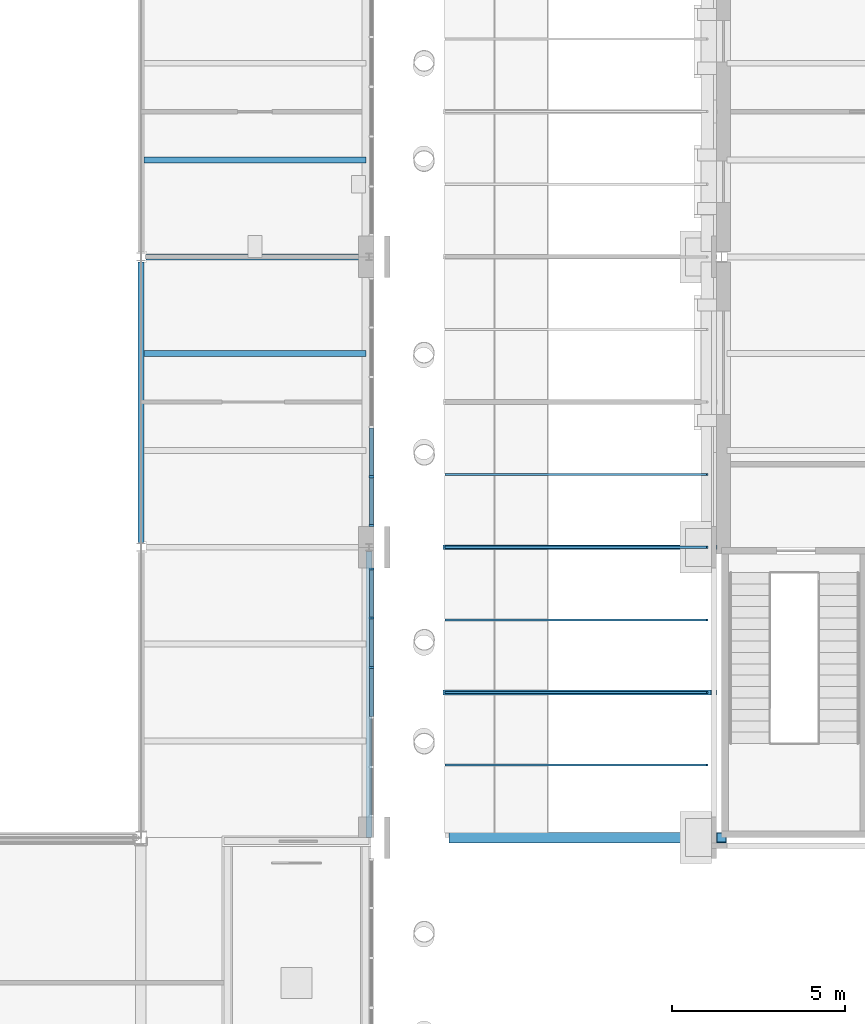
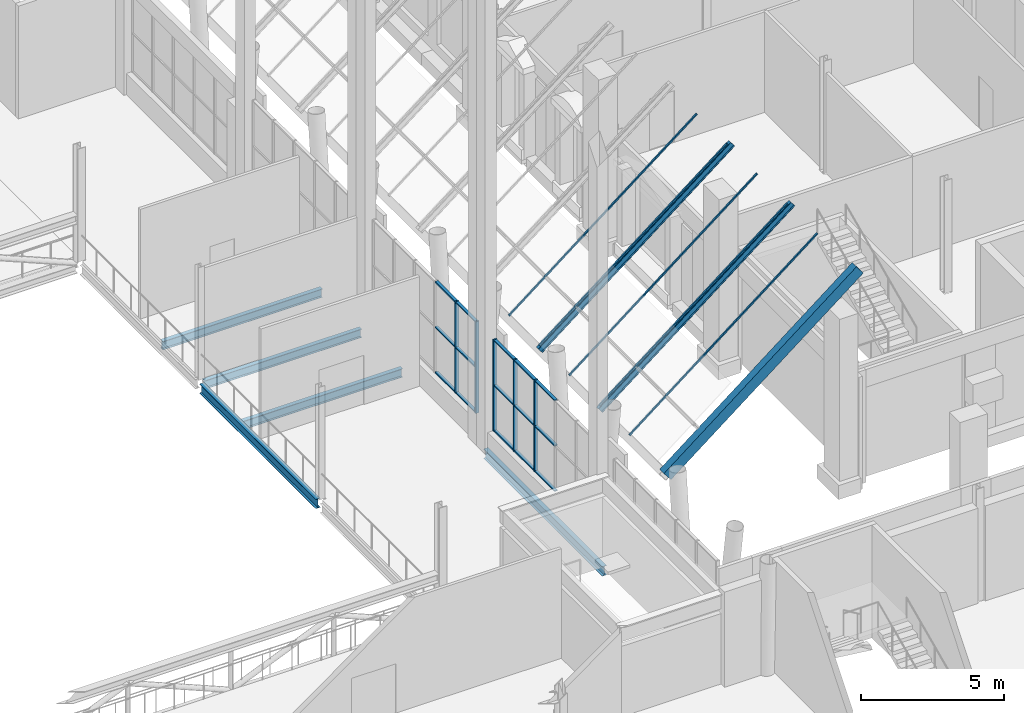
# One storey, part 27 of 76: 27 members, 6 beams, 2 elements without a shape of their own.
"""IFC4 building model written with IfcOpenShell, lengths in metres."""

from ifc_helpers import new_model, si_unit, direction, frame, origin, origin_2d, place, context, subcontext, project, spatial, polyline, rectangle, i_section, outline, extrude, material, material_profile, profile_set, type_object, element, aggregate, save


model = new_model("IFC4")

# Units and contexts
model_context = context("Model", 3, precision=1e-05, world=origin(), true_north=direction((0.0, 1.0)))
body_context = subcontext(model_context, "Body", "Model", "MODEL_VIEW")
ifc_project = project(units=[si_unit("LENGTHUNIT", "METRE"), si_unit("AREAUNIT", "SQUARE_METRE"), si_unit("VOLUMEUNIT", "CUBIC_METRE"), si_unit("PLANEANGLEUNIT", "RADIAN"), si_unit("MASSUNIT", "GRAM", prefix="KILO")], contexts=[model_context])

# Site, building, storey
site_placement = place(None, origin())
site = spatial("IfcSite", under=ifc_project, at=site_placement, CompositionType="ELEMENT")
building_placement = place(site_placement, origin())
building = spatial("IfcBuilding", under=site, at=building_placement, Name="Sava Quay Ferry Terminal", CompositionType="ELEMENT")
storey_placement = place(building_placement, frame((0.0, 0.0, 6.0)))
storey = spatial("IfcBuildingStorey", under=building, at=storey_placement, Name="L01", CompositionType="ELEMENT", Elevation=6.0)

# Beams
ifc_material_1 = material(Name="Steel S355", Category="steel")
ifc_material_profile_1 = material_profile(ifc_material_1, i_section(OverallWidth=0.169921875, OverallDepth=0.360107421875, WebThickness=0.008056640625, FlangeThickness=0.0126953125, at=origin_2d()), Name="IPE 360")
ifc_profile_set_1 = profile_set([ifc_material_profile_1], Name="Steel S355")
beam_type_1 = type_object("IfcBeamType", Name="Beam IPE 360", PredefinedType="BEAM", material=ifc_profile_set_1)
beam_1_placement = place(storey_placement, frame((75.75, 75.60009765625, -0.31005859375), z_axis=(1.0, 0.0, 0.0), x_axis=(0.0, 1.0, 0.0)))
element("IfcBeam", 1, at=beam_1_placement, inside=storey, type_object=beam_type_1, Name="Beam L01", PredefinedType="BEAM", context=body_context, shape_type="SweptSolid", body=[
    extrude(i_section(OverallWidth=0.169921875, OverallDepth=0.360107421875, WebThickness=0.008056640625, FlangeThickness=0.0126953125, at=origin_2d()), origin(), (0.0, 0.0, 1.0), 6.330078125),
])
for number, where, z_axis, x_axis, name in (
    (2, (75.68994140625, 72.800048828125, -0.31005859375), (1.0, 0.0, 0.0), (0.0, 1.0, 0.0), "Secondary beam L01"),
    (3, (75.68994140625, 78.39990234375, -0.31005859375), (1.0, 0.0, 0.0), (0.0, 1.0, 0.0), "Secondary beam L01"),
):
    element("IfcBeam", number, at=place(storey_placement, frame(where, z_axis=z_axis, x_axis=x_axis)), inside=storey, type_object=beam_type_1, Name=name, PredefinedType="BEAM", context=body_context, shape_type="SweptSolid", body=[
        extrude(i_section(OverallWidth=0.169921875, OverallDepth=0.360107421875, WebThickness=0.008056640625, FlangeThickness=0.0126953125, at=origin_2d()), origin(), (0.0, 0.0, 1.0), 6.420166015625),
    ])
ifc_material_2 = material(Name="Steel S355", Category="steel")
ifc_material_profile_2 = material_profile(ifc_material_2, i_section(OverallWidth=0.179931640625, OverallDepth=0.39990234375, WebThickness=0.008544921875, FlangeThickness=0.013427734375, at=origin_2d()), Name="IPE 400")
ifc_profile_set_2 = profile_set([ifc_material_profile_2], Name="Steel S355")
beam_type_2 = type_object("IfcBeamType", Name="Beam IPE 400", PredefinedType="BEAM", material=ifc_profile_set_2)
beam_2_placement = place(storey_placement, frame((75.60009765625, 67.344970703125, -0.330078125), z_axis=(0.0, 1.0, 0.0), x_axis=(-1.0, 0.0, 0.0)))
element("IfcBeam", 4, at=beam_2_placement, inside=storey, type_object=beam_type_2, Name="Girder L01", PredefinedType="BEAM", context=body_context, shape_type="SweptSolid", body=[
    extrude(i_section(OverallWidth=0.179931640625, OverallDepth=0.39990234375, WebThickness=0.008544921875, FlangeThickness=0.013427734375, at=origin_2d()), origin(), (0.0, 0.0, 1.0), 8.110107421875),
])
beam_3_placement = place(storey_placement, frame((82.199951171875, 58.800048828125, -0.330078125), z_axis=(0.0, 1.0, 0.0), x_axis=(-1.0, 0.0, 0.0)))
element("IfcBeam", 5, at=beam_3_placement, inside=storey, type_object=beam_type_2, Name="Girder L01", PredefinedType="BEAM", context=body_context, shape_type="SweptSolid", body=[
    extrude(i_section(OverallWidth=0.179931640625, OverallDepth=0.39990234375, WebThickness=0.008544921875, FlangeThickness=0.013427734375, at=origin_2d()), origin(), (0.0, 0.0, 1.0), 8.280029296875),
])
ifc_material_3 = material(Name="Steel S355", Category="steel")
ifc_material_profile_3 = material_profile(ifc_material_3, outline(polyline([(-0.14990234375, -0.228515625), (0.14990234375, -0.228515625), (0.14990234375, 0.228515625), (-0.14990234375, 0.228515625), (-0.14990234375, -0.228515625)]), holes=[polyline([(-0.1298828125, -0.20849609375), (-0.1298828125, 0.20849609375), (0.1298828125, 0.20849609375), (0.1298828125, -0.20849609375), (-0.1298828125, -0.20849609375)])]), Name="Box 457x300x20 built-up")
ifc_profile_set_3 = profile_set([ifc_material_profile_3], Name="Steel S355")
beam_type_3 = type_object("IfcBeamType", Name="Fascia beam Box 457x300x20", PredefinedType="BEAM", material=ifc_profile_set_3)
beam_4_placement = place(storey_placement, frame((84.64990234375, 58.800048828125, 2.91064453125), z_axis=(0.786314900633, 0.0, 0.617825927784), x_axis=(0.0, 1.0, 0.0)))
element("IfcBeam", 6, at=beam_4_placement, inside=storey, type_object=beam_type_3, Name="Passage roof edge fascia beam ED1", PredefinedType="BEAM", context=body_context, shape_type="SweptSolid", body=[
    extrude(outline(polyline([(-0.14990234375, -0.228515625), (0.14990234375, -0.228515625), (0.14990234375, 0.228515625), (-0.14990234375, 0.228515625), (-0.14990234375, -0.228515625)]), holes=[polyline([(-0.1298828125, -0.20849609375), (-0.1298828125, 0.20849609375), (0.1298828125, 0.20849609375), (0.1298828125, -0.20849609375), (-0.1298828125, -0.20849609375)])]), origin(), (0.0, 0.0, 1.0), 9.856201171875),
])

# Members
ifc_material_4 = material(Name="Aluminium EN AW-6063 T6", Category="aluminium")
ifc_material_profile_4 = material_profile(ifc_material_4, rectangle(XDim=0.06005859375, YDim=0.06005859375, at=origin_2d()), Name="Bar 60 x 60")
ifc_profile_set_4 = profile_set([ifc_material_profile_4], Name="Aluminium EN AW-6063 T6")
member_type_1 = type_object("IfcMemberType", Name="Glazing bar 60x60", PredefinedType="USERDEFINED", material=ifc_profile_set_4)
for number, where, z_axis, x_axis, name in (
    (7, (84.413330078125, 69.300048828125, 3.39697265625), (0.78632361853, 0.0, 0.617814832245), (0.0, 1.0, 0.0), "Passage roof glazing bar GL19"),
    (8, (84.413330078125, 67.199951171875, 3.39697265625), (0.78632361853, 0.0, 0.617814832245), (0.0, 1.0, 0.0), "Passage roof glazing bar GL20"),
    (9, (84.413330078125, 65.10009765625, 3.39697265625), (0.78632361853, 0.0, 0.617814832245), (0.0, 1.0, 0.0), "Passage roof glazing bar GL21"),
    (10, (84.413330078125, 63.0, 3.39697265625), (0.78632361853, 0.0, 0.617814832245), (0.0, 1.0, 0.0), "Passage roof glazing bar GL22"),
    (11, (84.413330078125, 60.89990234375, 3.39697265625), (0.78632361853, 0.0, 0.617814832245), (0.0, 1.0, 0.0), "Passage roof glazing bar GL23"),
):
    element("IfcMember", number, at=place(storey_placement, frame(where, z_axis=z_axis, x_axis=x_axis)), inside=storey, type_object=member_type_1, Name=name, ObjectType="GLAZING BAR", PredefinedType="USERDEFINED", context=body_context, shape_type="SweptSolid", body=[
        extrude(rectangle(XDim=0.06005859375, YDim=0.06005859375, at=origin_2d()), origin(), (0.0, 0.0, 1.0), 9.62744140625),
    ])

# Curtain wall, members
ifc_material_5 = material(Name="Aluminium and glass curtain wall, double low-e glazed", Category="aluminium")
curtain_wall_type = type_object("IfcCurtainWallType", Name="Curtain wall CW-F flank", PredefinedType="NOTDEFINED", material=ifc_material_5)
curtain_wall_1_placement = place(storey_placement, origin())
curtain_wall_1 = element("IfcCurtainWall", 12, at=curtain_wall_1_placement, inside=storey, type_object=curtain_wall_type, Name="Curtain wall D-E L01 bay 2", PredefinedType="NOTDEFINED")
ifc_material_6 = material(Name="Aluminium EN AW-6063 T6", Category="aluminium")
ifc_material_profile_5 = material_profile(ifc_material_6, rectangle(XDim=0.14990234375, YDim=0.06005859375, at=origin_2d()), Name="Mullion 60x150 aluminium")
ifc_profile_set_5 = profile_set([ifc_material_profile_5], Name="Aluminium EN AW-6063 T6")
member_type_2 = type_object("IfcMemberType", Name="Mullion 60x150 aluminium", PredefinedType="MULLION", material=ifc_profile_set_5)
member_1_placement = place(storey_placement, frame((82.27490234375, 63.719970703125, 0.89990234375), z_axis=(0.0, 0.0, 1.0), x_axis=(-1.0, 0.0, 0.0)))
member_1 = element("IfcMember", 13, at=member_1_placement, type_object=member_type_2, Name="CW41 mullion 4", PredefinedType="MULLION", context=body_context, shape_type="SweptSolid", body=[
    extrude(rectangle(XDim=0.14990234375, YDim=0.06005859375, at=origin_2d()), origin(), (0.0, 0.0, 1.0), 3.900146484375),
])
member_2_placement = place(storey_placement, frame((82.27490234375, 65.159912109375, 0.89990234375), z_axis=(0.0, 0.0, 1.0), x_axis=(-1.0, 0.0, 0.0)))
member_2 = element("IfcMember", 14, at=member_2_placement, type_object=member_type_2, Name="CW41 mullion 5", PredefinedType="MULLION", context=body_context, shape_type="SweptSolid", body=[
    extrude(rectangle(XDim=0.14990234375, YDim=0.06005859375, at=origin_2d()), origin(), (0.0, 0.0, 1.0), 3.900146484375),
])
member_3_placement = place(storey_placement, frame((82.27490234375, 66.570068359375, 0.89990234375), z_axis=(0.0, 0.0, 1.0), x_axis=(-1.0, 0.0, 0.0)))
member_3 = element("IfcMember", 15, at=member_3_placement, type_object=member_type_2, Name="CW41 mullion 6", PredefinedType="MULLION", context=body_context, shape_type="SweptSolid", body=[
    extrude(rectangle(XDim=0.14990234375, YDim=0.06005859375, at=origin_2d()), origin(), (0.0, 0.0, 1.0), 3.900146484375),
])

curtain_wall_2_placement = place(storey_placement, origin())
curtain_wall_2 = element("IfcCurtainWall", 16, at=curtain_wall_2_placement, inside=storey, type_object=curtain_wall_type, Name="Curtain wall D-E L01 bay 3", PredefinedType="NOTDEFINED")
member_4_placement = place(storey_placement, frame((82.27490234375, 67.830078125, 0.89990234375), z_axis=(0.0, 0.0, 1.0), x_axis=(-1.0, 0.0, 0.0)))
member_4 = element("IfcMember", 17, at=member_4_placement, type_object=member_type_2, Name="CW45 mullion 1", PredefinedType="MULLION", context=body_context, shape_type="SweptSolid", body=[
    extrude(rectangle(XDim=0.14990234375, YDim=0.06005859375, at=origin_2d()), origin(), (0.0, 0.0, 1.0), 3.900146484375),
])
member_5_placement = place(storey_placement, frame((82.27490234375, 69.239990234375, 0.89990234375), z_axis=(0.0, 0.0, 1.0), x_axis=(-1.0, 0.0, 0.0)))
member_5 = element("IfcMember", 18, at=member_5_placement, type_object=member_type_2, Name="CW45 mullion 2", PredefinedType="MULLION", context=body_context, shape_type="SweptSolid", body=[
    extrude(rectangle(XDim=0.14990234375, YDim=0.06005859375, at=origin_2d()), origin(), (0.0, 0.0, 1.0), 3.900146484375),
])

# Members
ifc_material_7 = material(Name="Steel S355", Category="steel")
ifc_material_profile_6 = material_profile(ifc_material_7, i_section(OverallWidth=0.135009765625, OverallDepth=0.27001953125, WebThickness=0.006591796875, FlangeThickness=0.01025390625, at=origin_2d()), Name="IPE 270")
ifc_profile_set_6 = profile_set([ifc_material_profile_6], Name="Steel S355")
member_type_3 = type_object("IfcMemberType", Name="Roof rafter IPE 270", PredefinedType="RAFTER", material=ifc_profile_set_6)
for number, where, z_axis, x_axis, name in (
    (19, (84.425537109375, 67.199951171875, 3.196533203125), (0.786314900633, 0.0, 0.617825927784), (0.0, 1.0, 0.0), "Passage roof rafter RA10"),
    (20, (84.425537109375, 63.0, 3.196533203125), (0.786314900633, 0.0, 0.617825927784), (0.0, 1.0, 0.0), "Passage roof rafter RA11"),
):
    element("IfcMember", number, at=place(storey_placement, frame(where, z_axis=z_axis, x_axis=x_axis)), inside=storey, type_object=member_type_3, Name=name, PredefinedType="RAFTER", context=body_context, shape_type="SweptSolid", body=[
        extrude(i_section(OverallWidth=0.135009765625, OverallDepth=0.27001953125, WebThickness=0.006591796875, FlangeThickness=0.01025390625, at=origin_2d()), origin(), (0.0, 0.0, 1.0), 9.856201171875),
    ])

# Member
ifc_material_8 = material(Name="Aluminium EN AW-6063 T6", Category="aluminium")
ifc_material_profile_7 = material_profile(ifc_material_8, rectangle(XDim=0.1201171875, YDim=0.050048828125, at=origin_2d()), Name="Transom 50x120 aluminium")
ifc_profile_set_7 = profile_set([ifc_material_profile_7], Name="Aluminium EN AW-6063 T6")
member_type_4 = type_object("IfcMemberType", Name="Transom 50x120 aluminium", PredefinedType="USERDEFINED", material=ifc_profile_set_7)
member_6_placement = place(storey_placement, frame((82.27490234375, 62.31005859375, 0.925048828125), z_axis=(0.0, 1.0, 0.0), x_axis=(-1.0, 0.0, 0.0)))
member_6 = element("IfcMember", 21, at=member_6_placement, type_object=member_type_4, Name="CW41 transom 3.1", ObjectType="TRANSOM", PredefinedType="USERDEFINED", context=body_context, shape_type="SweptSolid", body=[
    extrude(rectangle(XDim=0.1201171875, YDim=0.050048828125, at=origin_2d()), origin(), (0.0, 0.0, 1.0), 1.3798828125),
])

member_7_placement = place(storey_placement, frame((82.27490234375, 62.31005859375, 2.85009765625), z_axis=(0.0, 1.0, 0.0), x_axis=(-1.0, 0.0, 0.0)))
member_7 = element("IfcMember", 22, at=member_7_placement, type_object=member_type_4, Name="CW41 transom 3.2", ObjectType="TRANSOM", PredefinedType="USERDEFINED", context=body_context, shape_type="SweptSolid", body=[
    extrude(rectangle(XDim=0.1201171875, YDim=0.050048828125, at=origin_2d()), origin(), (0.0, 0.0, 1.0), 1.3798828125),
])

member_8_placement = place(storey_placement, frame((82.27490234375, 62.31005859375, 4.77490234375), z_axis=(0.0, 1.0, 0.0), x_axis=(-1.0, 0.0, 0.0)))
member_8 = element("IfcMember", 23, at=member_8_placement, type_object=member_type_4, Name="CW41 transom 3.3", ObjectType="TRANSOM", PredefinedType="USERDEFINED", context=body_context, shape_type="SweptSolid", body=[
    extrude(rectangle(XDim=0.1201171875, YDim=0.050048828125, at=origin_2d()), origin(), (0.0, 0.0, 1.0), 1.3798828125),
])

member_9_placement = place(storey_placement, frame((82.27490234375, 63.75, 0.925048828125), z_axis=(0.0, 1.0, 0.0), x_axis=(-1.0, 0.0, 0.0)))
member_9 = element("IfcMember", 24, at=member_9_placement, type_object=member_type_4, Name="CW41 transom 4.1", ObjectType="TRANSOM", PredefinedType="USERDEFINED", context=body_context, shape_type="SweptSolid", body=[
    extrude(rectangle(XDim=0.1201171875, YDim=0.050048828125, at=origin_2d()), origin(), (0.0, 0.0, 1.0), 1.3798828125),
])

member_10_placement = place(storey_placement, frame((82.27490234375, 63.75, 2.85009765625), z_axis=(0.0, 1.0, 0.0), x_axis=(-1.0, 0.0, 0.0)))
member_10 = element("IfcMember", 25, at=member_10_placement, type_object=member_type_4, Name="CW41 transom 4.2", ObjectType="TRANSOM", PredefinedType="USERDEFINED", context=body_context, shape_type="SweptSolid", body=[
    extrude(rectangle(XDim=0.1201171875, YDim=0.050048828125, at=origin_2d()), origin(), (0.0, 0.0, 1.0), 1.3798828125),
])

member_11_placement = place(storey_placement, frame((82.27490234375, 63.75, 4.77490234375), z_axis=(0.0, 1.0, 0.0), x_axis=(-1.0, 0.0, 0.0)))
member_11 = element("IfcMember", 26, at=member_11_placement, type_object=member_type_4, Name="CW41 transom 4.3", ObjectType="TRANSOM", PredefinedType="USERDEFINED", context=body_context, shape_type="SweptSolid", body=[
    extrude(rectangle(XDim=0.1201171875, YDim=0.050048828125, at=origin_2d()), origin(), (0.0, 0.0, 1.0), 1.3798828125),
])

member_12_placement = place(storey_placement, frame((82.27490234375, 65.18994140625, 0.925048828125), z_axis=(0.0, 1.0, 0.0), x_axis=(-1.0, 0.0, 0.0)))
member_12 = element("IfcMember", 27, at=member_12_placement, type_object=member_type_4, Name="CW41 transom 5.1", ObjectType="TRANSOM", PredefinedType="USERDEFINED", context=body_context, shape_type="SweptSolid", body=[
    extrude(rectangle(XDim=0.1201171875, YDim=0.050048828125, at=origin_2d()), origin(), (0.0, 0.0, 1.0), 1.35009765625),
])

member_13_placement = place(storey_placement, frame((82.27490234375, 65.18994140625, 2.85009765625), z_axis=(0.0, 1.0, 0.0), x_axis=(-1.0, 0.0, 0.0)))
member_13 = element("IfcMember", 28, at=member_13_placement, type_object=member_type_4, Name="CW41 transom 5.2", ObjectType="TRANSOM", PredefinedType="USERDEFINED", context=body_context, shape_type="SweptSolid", body=[
    extrude(rectangle(XDim=0.1201171875, YDim=0.050048828125, at=origin_2d()), origin(), (0.0, 0.0, 1.0), 1.35009765625),
])

member_14_placement = place(storey_placement, frame((82.27490234375, 65.18994140625, 4.77490234375), z_axis=(0.0, 1.0, 0.0), x_axis=(-1.0, 0.0, 0.0)))
member_14 = element("IfcMember", 29, at=member_14_placement, type_object=member_type_4, Name="CW41 transom 5.3", ObjectType="TRANSOM", PredefinedType="USERDEFINED", context=body_context, shape_type="SweptSolid", body=[
    extrude(rectangle(XDim=0.1201171875, YDim=0.050048828125, at=origin_2d()), origin(), (0.0, 0.0, 1.0), 1.35009765625),
])

aggregate(curtain_wall_1, [member_1, member_2, member_3, member_6, member_7, member_8, member_9, member_10, member_11, member_12, member_13, member_14])

member_15_placement = place(storey_placement, frame((82.27490234375, 67.860107421875, 0.925048828125), z_axis=(0.0, 1.0, 0.0), x_axis=(-1.0, 0.0, 0.0)))
member_15 = element("IfcMember", 30, at=member_15_placement, type_object=member_type_4, Name="CW45 transom 1.1", ObjectType="TRANSOM", PredefinedType="USERDEFINED", context=body_context, shape_type="SweptSolid", body=[
    extrude(rectangle(XDim=0.1201171875, YDim=0.050048828125, at=origin_2d()), origin(), (0.0, 0.0, 1.0), 1.349853515625),
])

member_16_placement = place(storey_placement, frame((82.27490234375, 67.860107421875, 2.85009765625), z_axis=(0.0, 1.0, 0.0), x_axis=(-1.0, 0.0, 0.0)))
member_16 = element("IfcMember", 31, at=member_16_placement, type_object=member_type_4, Name="CW45 transom 1.2", ObjectType="TRANSOM", PredefinedType="USERDEFINED", context=body_context, shape_type="SweptSolid", body=[
    extrude(rectangle(XDim=0.1201171875, YDim=0.050048828125, at=origin_2d()), origin(), (0.0, 0.0, 1.0), 1.349853515625),
])

member_17_placement = place(storey_placement, frame((82.27490234375, 67.860107421875, 4.77490234375), z_axis=(0.0, 1.0, 0.0), x_axis=(-1.0, 0.0, 0.0)))
member_17 = element("IfcMember", 32, at=member_17_placement, type_object=member_type_4, Name="CW45 transom 1.3", ObjectType="TRANSOM", PredefinedType="USERDEFINED", context=body_context, shape_type="SweptSolid", body=[
    extrude(rectangle(XDim=0.1201171875, YDim=0.050048828125, at=origin_2d()), origin(), (0.0, 0.0, 1.0), 1.349853515625),
])

member_18_placement = place(storey_placement, frame((82.27490234375, 69.27001953125, 0.925048828125), z_axis=(0.0, 1.0, 0.0), x_axis=(-1.0, 0.0, 0.0)))
member_18 = element("IfcMember", 33, at=member_18_placement, type_object=member_type_4, Name="CW45 transom 2.1", ObjectType="TRANSOM", PredefinedType="USERDEFINED", context=body_context, shape_type="SweptSolid", body=[
    extrude(rectangle(XDim=0.1201171875, YDim=0.050048828125, at=origin_2d()), origin(), (0.0, 0.0, 1.0), 1.3798828125),
])

member_19_placement = place(storey_placement, frame((82.27490234375, 69.27001953125, 2.85009765625), z_axis=(0.0, 1.0, 0.0), x_axis=(-1.0, 0.0, 0.0)))
member_19 = element("IfcMember", 34, at=member_19_placement, type_object=member_type_4, Name="CW45 transom 2.2", ObjectType="TRANSOM", PredefinedType="USERDEFINED", context=body_context, shape_type="SweptSolid", body=[
    extrude(rectangle(XDim=0.1201171875, YDim=0.050048828125, at=origin_2d()), origin(), (0.0, 0.0, 1.0), 1.3798828125),
])

member_20_placement = place(storey_placement, frame((82.27490234375, 69.27001953125, 4.77490234375), z_axis=(0.0, 1.0, 0.0), x_axis=(-1.0, 0.0, 0.0)))
member_20 = element("IfcMember", 35, at=member_20_placement, type_object=member_type_4, Name="CW45 transom 2.3", ObjectType="TRANSOM", PredefinedType="USERDEFINED", context=body_context, shape_type="SweptSolid", body=[
    extrude(rectangle(XDim=0.1201171875, YDim=0.050048828125, at=origin_2d()), origin(), (0.0, 0.0, 1.0), 1.3798828125),
])

aggregate(curtain_wall_2, [member_4, member_5, member_15, member_16, member_17, member_18, member_19, member_20])

save(model, "model.ifc")
